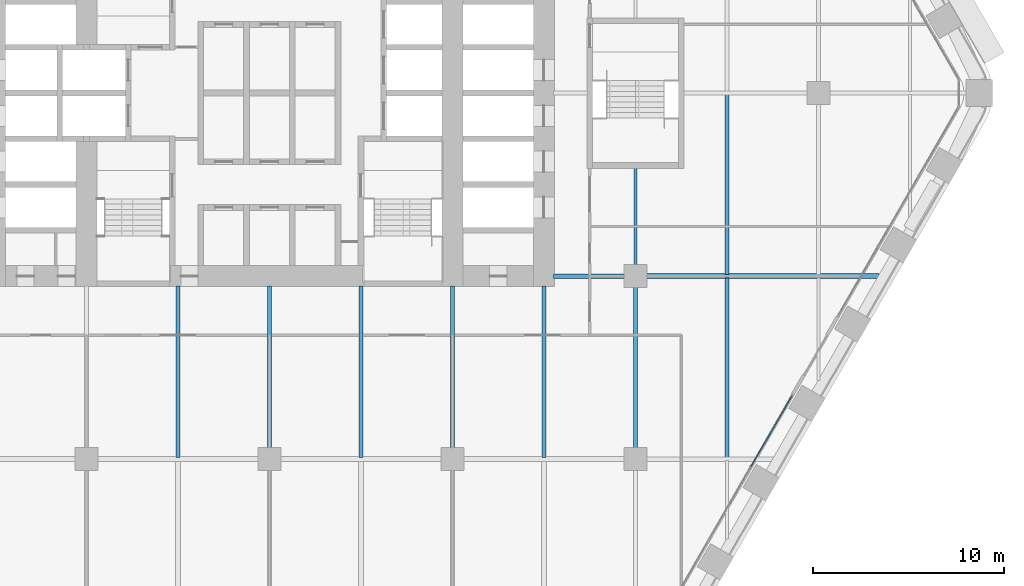
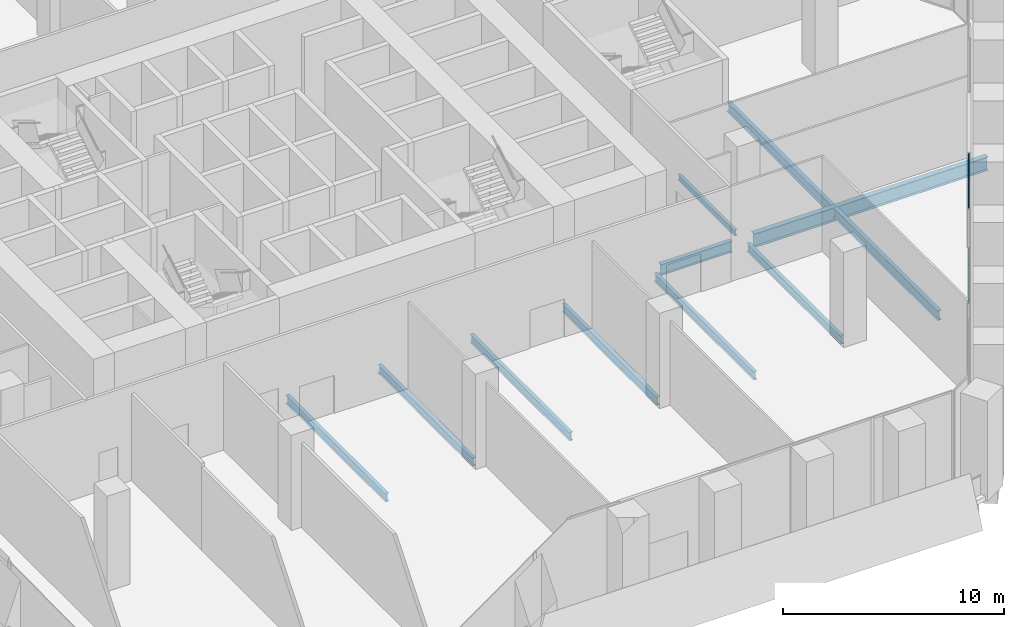
# One storey, part 6 of 27: 11 beams, 2 members, 1 element without a shape of its own.
"""IFC4 building model written with IfcOpenShell, lengths in metres."""

from ifc_helpers import new_model, si_unit, direction, frame, origin, origin_2d, place, context, subcontext, project, spatial, rectangle, i_section, extrude, material, material_profile, profile_set, type_object, element, aggregate, save


model = new_model("IFC4")

# Units and contexts
model_context = context("Model", 3, precision=1e-05, world=origin(), true_north=direction((0.0, 1.0)))
body_context = subcontext(model_context, "Body", "Model", "MODEL_VIEW")
ifc_project = project(units=[si_unit("LENGTHUNIT", "METRE"), si_unit("AREAUNIT", "SQUARE_METRE"), si_unit("VOLUMEUNIT", "CUBIC_METRE"), si_unit("PLANEANGLEUNIT", "RADIAN"), si_unit("MASSUNIT", "GRAM", prefix="KILO")], contexts=[model_context])

# Site, building, storey
site_placement = place(None, origin())
site = spatial("IfcSite", under=ifc_project, at=site_placement, CompositionType="ELEMENT")
building_placement = place(site_placement, origin())
building = spatial("IfcBuilding", under=site, at=building_placement, Name="Kolab Exchange Tower", CompositionType="ELEMENT")
storey_placement = place(building_placement, frame((0.0, 0.0, 22.39990234375)))
storey = spatial("IfcBuildingStorey", under=building, at=storey_placement, Name="L04", CompositionType="ELEMENT", Elevation=22.39990234375)

# Beams
ifc_material_1 = material(Name="Steel S355", Category="steel")
ifc_material_profile_1 = material_profile(ifc_material_1, i_section(OverallWidth=0.1650390625, OverallDepth=0.31005859375, WebThickness=0.005859375, FlangeThickness=0.009765625, at=origin_2d()), Name="W310X39")
ifc_profile_set_1 = profile_set([ifc_material_profile_1], Name="Steel S355")
beam_type_1 = type_object("IfcBeamType", Name="FLOOR BEAM W310X39", PredefinedType="BEAM", material=ifc_profile_set_1)
beam_1_placement = place(storey_placement, frame((19.199951171875, -9.0400390625, -0.40478515625), z_axis=(0.0, 1.0, 0.0), x_axis=(-1.0, 0.0, 0.0)))
element("IfcBeam", 1, at=beam_1_placement, inside=storey, type_object=beam_type_1, Name="beam/L04/fr/048", PredefinedType="BEAM", context=body_context, shape_type="SweptSolid", body=[
    extrude(i_section(OverallWidth=0.1650390625, OverallDepth=0.31005859375, WebThickness=0.005859375, FlangeThickness=0.009765625, at=origin_2d()), origin(), (0.0, 0.0, 1.0), 5.130126953125),
])
ifc_material_profile_2 = material_profile(ifc_material_1, i_section(OverallWidth=0.18994140625, OverallDepth=0.45703125, WebThickness=0.009033203125, FlangeThickness=0.014404296875, at=origin_2d()), Name="W460X74")
ifc_profile_set_2 = profile_set([ifc_material_profile_2], Name="Steel S355")
beam_type_2 = type_object("IfcBeamType", Name="FLOOR BEAM W460X74", PredefinedType="BEAM", material=ifc_profile_set_2)
beam_2_placement = place(storey_placement, frame((-4.800048828125, -19.113037109375, -0.478515625), z_axis=(0.0, 1.0, 0.0), x_axis=(-1.0, 0.0, 0.0)))
element("IfcBeam", 2, at=beam_2_placement, inside=storey, type_object=beam_type_2, Name="beam/L04/fr/027", PredefinedType="BEAM", context=body_context, shape_type="SweptSolid", body=[
    extrude(i_section(OverallWidth=0.18994140625, OverallDepth=0.45703125, WebThickness=0.009033203125, FlangeThickness=0.014404296875, at=origin_2d()), origin(), (0.0, 0.0, 1.0), 9.0029296875),
])
beam_3_placement = place(storey_placement, frame((0.0, -18.639892578125, -0.478515625), z_axis=(0.0, 1.0, 0.0), x_axis=(-1.0, 0.0, 0.0)))
element("IfcBeam", 3, at=beam_3_placement, inside=storey, type_object=beam_type_2, Name="beam/L04/fr/031", PredefinedType="BEAM", context=body_context, shape_type="SweptSolid", body=[
    extrude(i_section(OverallWidth=0.18994140625, OverallDepth=0.45703125, WebThickness=0.009033203125, FlangeThickness=0.014404296875, at=origin_2d()), origin(), (0.0, 0.0, 1.0), 8.52978515625),
])
beam_4_placement = place(storey_placement, frame((4.800048828125, -19.113037109375, -0.478515625), z_axis=(0.0, 1.0, 0.0), x_axis=(-1.0, 0.0, 0.0)))
element("IfcBeam", 4, at=beam_4_placement, inside=storey, type_object=beam_type_2, Name="beam/L04/fr/035", PredefinedType="BEAM", context=body_context, shape_type="SweptSolid", body=[
    extrude(i_section(OverallWidth=0.18994140625, OverallDepth=0.45703125, WebThickness=0.009033203125, FlangeThickness=0.014404296875, at=origin_2d()), origin(), (0.0, 0.0, 1.0), 9.0029296875),
])
beam_5_placement = place(storey_placement, frame((9.60009765625, -18.639892578125, -0.478515625), z_axis=(0.0, 1.0, 0.0), x_axis=(-1.0, 0.0, 0.0)))
element("IfcBeam", 5, at=beam_5_placement, inside=storey, type_object=beam_type_2, Name="beam/L04/fr/039", PredefinedType="BEAM", context=body_context, shape_type="SweptSolid", body=[
    extrude(i_section(OverallWidth=0.18994140625, OverallDepth=0.45703125, WebThickness=0.009033203125, FlangeThickness=0.014404296875, at=origin_2d()), origin(), (0.0, 0.0, 1.0), 8.52978515625),
])
beam_6_placement = place(storey_placement, frame((14.39990234375, -19.113037109375, -0.478515625), z_axis=(0.0, 1.0, 0.0), x_axis=(-1.0, 0.0, 0.0)))
element("IfcBeam", 6, at=beam_6_placement, inside=storey, type_object=beam_type_2, Name="beam/L04/fr/043", PredefinedType="BEAM", context=body_context, shape_type="SweptSolid", body=[
    extrude(i_section(OverallWidth=0.18994140625, OverallDepth=0.45703125, WebThickness=0.009033203125, FlangeThickness=0.014404296875, at=origin_2d()), origin(), (0.0, 0.0, 1.0), 9.0029296875),
])
beam_7_placement = place(storey_placement, frame((19.199951171875, -18.639892578125, -0.478515625), z_axis=(0.0, 1.0, 0.0), x_axis=(-1.0, 0.0, 0.0)))
element("IfcBeam", 7, at=beam_7_placement, inside=storey, type_object=beam_type_2, Name="beam/L04/fr/047", PredefinedType="BEAM", context=body_context, shape_type="SweptSolid", body=[
    extrude(i_section(OverallWidth=0.18994140625, OverallDepth=0.45703125, WebThickness=0.009033203125, FlangeThickness=0.014404296875, at=origin_2d()), origin(), (0.0, 0.0, 1.0), 8.47998046875),
])
ifc_material_profile_3 = material_profile(ifc_material_1, i_section(OverallWidth=0.208984375, OverallDepth=0.532958984375, WebThickness=0.01025390625, FlangeThickness=0.015625, at=origin_2d()), Name="W530X92")
ifc_profile_set_3 = profile_set([ifc_material_profile_3], Name="Steel S355")
beam_type_3 = type_object("IfcBeamType", Name="FLOOR BEAM W530X92", PredefinedType="BEAM", material=ifc_profile_set_3)
beam_8_placement = place(storey_placement, frame((24.0, -19.1259765625, -0.516357421875), z_axis=(0.0, 1.0, 0.0), x_axis=(-1.0, 0.0, 0.0)))
element("IfcBeam", 8, at=beam_8_placement, inside=storey, type_object=beam_type_3, Name="beam/L04/fr/053", PredefinedType="BEAM", context=body_context, shape_type="SweptSolid", body=[
    extrude(i_section(OverallWidth=0.208984375, OverallDepth=0.532958984375, WebThickness=0.01025390625, FlangeThickness=0.015625, at=origin_2d()), origin(), (0.0, 0.0, 1.0), 9.432373046875),
])
beam_9_placement = place(storey_placement, frame((24.0, -9.506591796875, -0.516357421875), z_axis=(0.0, 1.0, 0.0), x_axis=(-1.0, 0.0, 0.0)))
element("IfcBeam", 9, at=beam_9_placement, inside=storey, type_object=beam_type_3, Name="beam/L04/fr/054", PredefinedType="BEAM", context=body_context, shape_type="SweptSolid", body=[
    extrude(i_section(OverallWidth=0.208984375, OverallDepth=0.532958984375, WebThickness=0.01025390625, FlangeThickness=0.015625, at=origin_2d()), origin(), (0.0, 0.0, 1.0), 9.4326171875),
])
ifc_material_profile_4 = material_profile(ifc_material_1, i_section(OverallWidth=0.22802734375, OverallDepth=0.60791015625, WebThickness=0.01123046875, FlangeThickness=0.017333984375, at=origin_2d()), Name="W610X113")
ifc_profile_set_4 = profile_set([ifc_material_profile_4], Name="Steel S355")
beam_type_4 = type_object("IfcBeamType", Name="FLOOR GIRDER W610X113", PredefinedType="BEAM", material=ifc_profile_set_4)
beam_10_placement = place(storey_placement, frame((14.909912109375, -9.60009765625, -0.553955078125), z_axis=(1.0, 0.0, 0.0), x_axis=(0.0, 1.0, 0.0)))
element("IfcBeam", 10, at=beam_10_placement, inside=storey, type_object=beam_type_4, Name="beam/L04/gd/017", PredefinedType="BEAM", context=body_context, shape_type="SweptSolid", body=[
    extrude(i_section(OverallWidth=0.22802734375, OverallDepth=0.60791015625, WebThickness=0.01123046875, FlangeThickness=0.017333984375, at=origin_2d()), origin(), (0.0, 0.0, 1.0), 3.72998046875),
])
ifc_material_profile_5 = material_profile(ifc_material_1, i_section(OverallWidth=0.26708984375, OverallDepth=0.761962890625, WebThickness=0.014404296875, FlangeThickness=0.021484375, at=origin_2d()), Name="W760X173")
ifc_profile_set_5 = profile_set([ifc_material_profile_5], Name="Steel S355")
beam_type_5 = type_object("IfcBeamType", Name="FLOOR GIRDER W760X173", PredefinedType="BEAM", material=ifc_profile_set_5)
beam_11_placement = place(storey_placement, frame((19.760009765625, -9.60009765625, -0.630859375), z_axis=(1.0, 0.0, 0.0), x_axis=(0.0, 1.0, 0.0)))
element("IfcBeam", 11, at=beam_11_placement, inside=storey, type_object=beam_type_5, Name="beam/L04/gd/021", PredefinedType="BEAM", context=body_context, shape_type="SweptSolid", body=[
    extrude(i_section(OverallWidth=0.26708984375, OverallDepth=0.761962890625, WebThickness=0.014404296875, FlangeThickness=0.021484375, at=origin_2d()), origin(), (0.0, 0.0, 1.0), 12.213623046875),
])

# Curtain wall, members
ifc_material_2 = material(Name="Aluminium EN AW-6063 T6", Category="aluminium")
curtain_wall_type = type_object("IfcCurtainWallType", Name="UNITISED LOW ZONE CURTAIN WALL", PredefinedType="NOTDEFINED", material=ifc_material_2)
curtain_wall_placement = place(storey_placement, origin())
curtain_wall = element("IfcCurtainWall", 12, at=curtain_wall_placement, inside=storey, type_object=curtain_wall_type, Name="cw/L04/F3-2", PredefinedType="NOTDEFINED")
ifc_material_profile_6 = material_profile(ifc_material_2, rectangle(XDim=0.06005859375, YDim=0.10009765625, at=origin_2d()), Name="RECT 60X100")
ifc_profile_set_6 = profile_set([ifc_material_profile_6], Name="Aluminium EN AW-6063 T6")
member_type = type_object("IfcMemberType", Name="UNITISED LOW ZONE TRANSOM 60 X 100", PredefinedType="USERDEFINED", material=ifc_profile_set_6)
member_1_placement = place(storey_placement, frame((27.401611328125, -15.8896484375, 0.030029296875), z_axis=(-0.499976099074, -0.866039202551, 0.0), x_axis=(0.866039202551, -0.499976099074, 0.0)))
member_1 = element("IfcMember", 13, at=member_1_placement, type_object=member_type, Name="CW1 transom 1.1", ObjectType="TRANSOM", PredefinedType="USERDEFINED", context=body_context, shape_type="SweptSolid", body=[
    extrude(rectangle(XDim=0.06005859375, YDim=0.10009765625, at=origin_2d()), origin(), (0.0, 0.0, 1.0), 4.277099609375),
])
member_2_placement = place(storey_placement, frame((27.401611328125, -15.8896484375, 5.22021484375), z_axis=(-0.499976099074, -0.866039202551, 0.0), x_axis=(0.866039202551, -0.499976099074, 0.0)))
member_2 = element("IfcMember", 14, at=member_2_placement, type_object=member_type, Name="CW1 transom 1.2", ObjectType="TRANSOM", PredefinedType="USERDEFINED", context=body_context, shape_type="SweptSolid", body=[
    extrude(rectangle(XDim=0.06005859375, YDim=0.10009765625, at=origin_2d()), origin(), (0.0, 0.0, 1.0), 4.277099609375),
])
aggregate(curtain_wall, [member_1, member_2])

save(model, "model.ifc")
